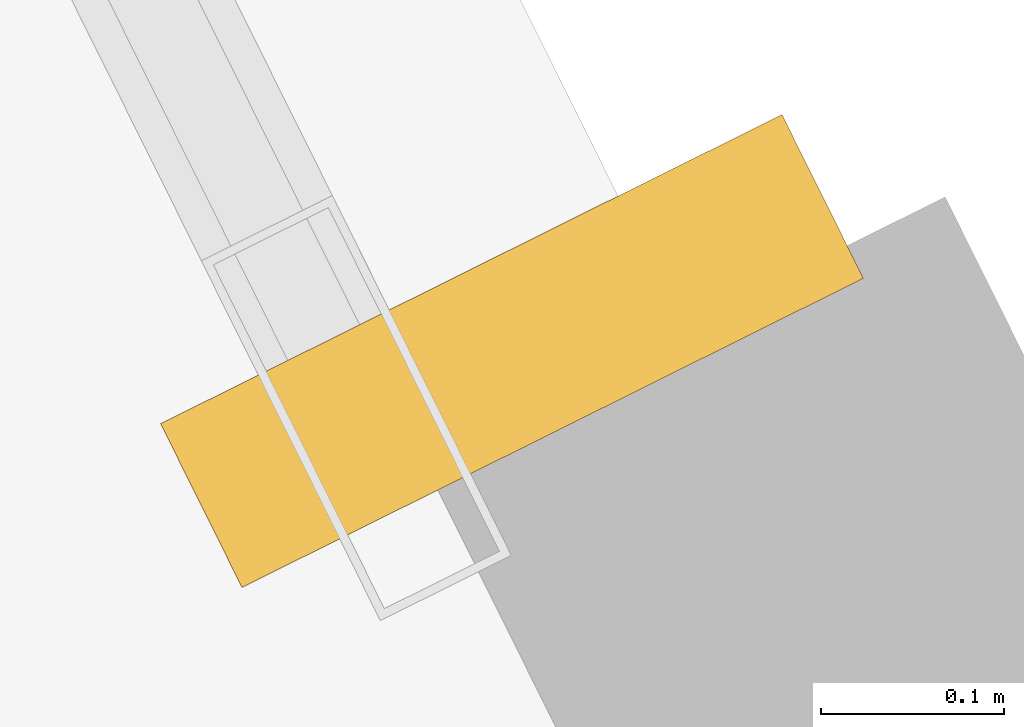
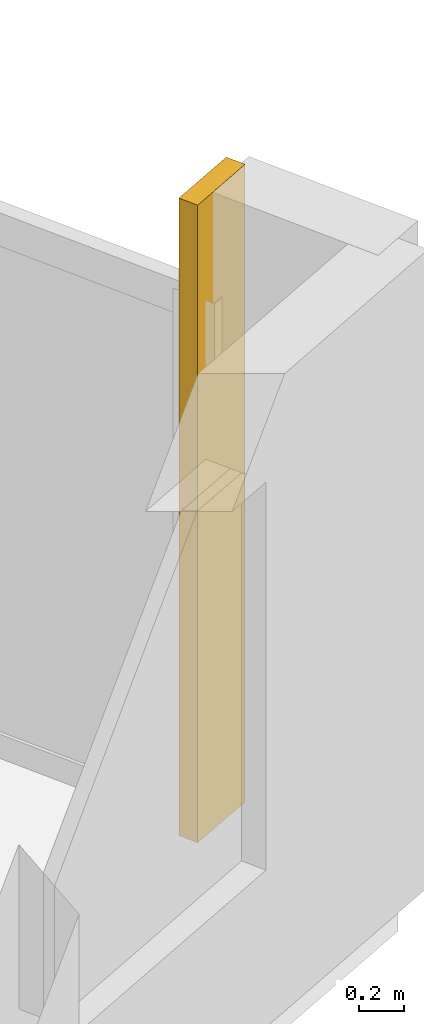
# One storey, part 35 of 35: 1 covering.
"""IFC4 building model written with IfcOpenShell, lengths in metres."""

import ifcopenshell
import ifcopenshell.guid

model = None  # the IFC model being written
_history = None  # IfcOwnerHistory: only IFC2X3 demands one
_inside = {}  # id of a spatial element -> (the spatial element, [elements in it])
_under = {}  # id of a project, library or spatial element -> (it, [spatial elements below it])
_declared = {}  # id of a project -> (the project, [libraries it declares])
_typed = {}  # id of a type object -> (the type object, [elements of that type])
_made_of = {}  # id of a material, layer set ... -> (it, [elements and type objects made of it])


def new_model(schema):
    """Start an empty IFC model of exactly this schema.

    Asked for "IFC4X3", IfcOpenShell would pick the latest addendum, in which some entities
    have other attributes; the version numbers below select the first issue.
    IFC2X3 requires an IfcOwnerHistory on every rooted entity: one is made here for all.
    """
    global model, _history
    if schema == "IFC4X3":
        model = ifcopenshell.file(schema_version=(4, 3, 0, 0))
    else:
        model = ifcopenshell.file(schema=schema)
    _inside.clear()
    _under.clear()
    _declared.clear()
    _typed.clear()
    _made_of.clear()
    _history = None
    if model.schema == "IFC2X3":
        org = make("IfcOrganization", Name="unknown")
        user = make(
            "IfcPersonAndOrganization",
            ThePerson=make("IfcPerson", FamilyName="unknown"),
            TheOrganization=org,
        )
        app = make(
            "IfcApplication",
            ApplicationDeveloper=org,
            Version="unknown",
            ApplicationFullName="unknown",
            ApplicationIdentifier="unknown",
        )
        _history = make(
            "IfcOwnerHistory",
            OwningUser=user,
            OwningApplication=app,
            ChangeAction="ADDED",
            CreationDate=0,
        )
    return model


def make(cls, **values):
    """One entity of the class cls with the attributes given. An attribute that is None is left unset."""
    return model.create_entity(
        cls, **{name: value for name, value in values.items() if value is not None}
    )


def rooted(cls, **values):
    """An entity with a GlobalId (a new one), such as an element, a storey or a relation."""
    return make(cls, GlobalId=ifcopenshell.guid.new(), OwnerHistory=_history, **values)


def si_unit(unit_type, name, prefix=None):
    """IfcSIUnit, for example si_unit("LENGTHUNIT", "METRE", prefix="MILLI")."""
    return make("IfcSIUnit", UnitType=unit_type, Prefix=prefix, Name=name)


def assignment(units):
    """IfcUnitAssignment: the units of a project."""
    return None if units is None else make("IfcUnitAssignment", Units=units)


def point(xyz):
    """IfcCartesianPoint."""
    return None if xyz is None else make("IfcCartesianPoint", Coordinates=xyz)


def direction(xyz):
    """IfcDirection."""
    return None if xyz is None else make("IfcDirection", DirectionRatios=xyz)


def frame(location, z_axis=None, x_axis=None):
    """IfcAxis2Placement3D, a coordinate frame: its origin and axes. An axis left out is left unset."""
    return make(
        "IfcAxis2Placement3D",
        Location=point(location),
        Axis=direction(z_axis),
        RefDirection=direction(x_axis),
    )


def frame_2d(location, x_axis=None):
    """IfcAxis2Placement2D, a coordinate frame in the plane: its origin and x axis."""
    return make(
        "IfcAxis2Placement2D", Location=point(location), RefDirection=direction(x_axis)
    )


def origin():
    """The frame at (0, 0, 0) with its axes left unset."""
    return frame((0.0, 0.0, 0.0))


def origin_2d():
    """The frame at (0, 0) in the plane with its x axis left unset."""
    return frame_2d((0.0, 0.0))


def place(relative_to, where):
    """IfcLocalPlacement: puts the frame where relative to a parent placement (None: the world)."""
    return make(
        "IfcLocalPlacement", PlacementRelTo=relative_to, RelativePlacement=where
    )


def context(
    kind, dimensions, precision=None, world=None, true_north=None, identifier=None
):
    """IfcGeometricRepresentationContext, for example the 3D "Model" context."""
    return make(
        "IfcGeometricRepresentationContext",
        ContextIdentifier=identifier,
        ContextType=kind,
        CoordinateSpaceDimension=dimensions,
        Precision=precision,
        WorldCoordinateSystem=world,
        TrueNorth=true_north,
    )


def subcontext(parent, identifier, kind, view, scale=None):
    """IfcGeometricRepresentationSubContext, for example "Body" below "Model"."""
    return make(
        "IfcGeometricRepresentationSubContext",
        ContextIdentifier=identifier,
        ContextType=kind,
        ParentContext=parent,
        TargetScale=scale,
        TargetView=view,
    )


def project(units=None, contexts=None):
    """IfcProject with its units and contexts."""
    return rooted(
        "IfcProject",
        Name="project",
        RepresentationContexts=contexts,
        UnitsInContext=assignment(units),
    )


def spatial(cls, under=None, at=None, **own):
    """A site, building, storey or space (cls), placed at a placement, below another one or the project."""
    s = rooted(cls, ObjectPlacement=at, **own)
    if under is not None:
        _under.setdefault(under.id(), (under, []))[1].append(s)
    return s


def profile(cls, at=None, kind="AREA", **sizes):
    """A parametric profile (cls). Its sizes go by their IFC names, for example OverallWidth=200.0."""
    return make(cls, ProfileType=kind, Position=at, **sizes)


def rectangle(**sizes):
    """IfcRectangleProfileDef."""
    return profile("IfcRectangleProfileDef", **sizes)


def extrude(swept, where, along, depth):
    """IfcExtrudedAreaSolid: the profile swept, set in the frame where, extruded along a direction by depth."""
    return make(
        "IfcExtrudedAreaSolid",
        SweptArea=swept,
        Position=where,
        ExtrudedDirection=direction(along),
        Depth=depth,
    )


def shape(context_of_items, identifier, shape_type, items):
    """IfcShapeRepresentation: the items that make up one representation, for example the "Body"."""
    return make(
        "IfcShapeRepresentation",
        ContextOfItems=context_of_items,
        RepresentationIdentifier=identifier,
        RepresentationType=shape_type,
        Items=items,
    )


def source(mapping_origin, context_of_items, identifier, shape_type, items):
    """IfcRepresentationMap: a shape defined once, which mapped items show again and again."""
    return make(
        "IfcRepresentationMap",
        MappingOrigin=mapping_origin,
        MappedRepresentation=shape(context_of_items, identifier, shape_type, items),
    )


def transform(
    local_origin,
    x_axis=None,
    y_axis=None,
    z_axis=None,
    scale=None,
    scale2=None,
    scale3=None,
    uniform=True,
):
    """IfcCartesianTransformationOperator3D, or its non-uniform kind. x_axis, y_axis, z_axis: its Axis1, 2, 3."""
    if uniform:
        return make(
            "IfcCartesianTransformationOperator3D",
            Axis1=direction(x_axis),
            Axis2=direction(y_axis),
            LocalOrigin=point(local_origin),
            Scale=scale,
            Axis3=direction(z_axis),
        )
    return make(
        "IfcCartesianTransformationOperator3DnonUniform",
        Axis1=direction(x_axis),
        Axis2=direction(y_axis),
        LocalOrigin=point(local_origin),
        Scale=scale,
        Axis3=direction(z_axis),
        Scale2=scale2,
        Scale3=scale3,
    )


def mapped(mapping_source, mapping_target):
    """IfcMappedItem: shows the shape of a source again, moved by a transform."""
    return make(
        "IfcMappedItem", MappingSource=mapping_source, MappingTarget=mapping_target
    )


def material(Name=None, Category=None):
    """IfcMaterial."""
    return make("IfcMaterial", Name=Name, Category=Category)


def layer(
    of_material, thickness, ventilated=None, Name=None, Category=None, Priority=None
):
    """IfcMaterialLayer: one layer of a wall or slab, of a material (None: an air gap)."""
    return make(
        "IfcMaterialLayer",
        Material=of_material,
        LayerThickness=thickness,
        IsVentilated=ventilated,
        Name=Name,
        Category=Category,
        Priority=Priority,
    )


def layer_set(layers, Name=None):
    """IfcMaterialLayerSet."""
    return make("IfcMaterialLayerSet", MaterialLayers=layers, LayerSetName=Name)


def made_of(thing, what):
    """Note that an element or type object is made of a material, layer set ...; save() writes the relation."""
    if what is not None:
        _made_of.setdefault(what.id(), (what, []))[1].append(thing)
    return thing


def type_object(cls, material=None, **own):
    """A type object (cls), such as IfcWallType, which elements share."""
    return made_of(rooted(cls, **own), material)


def element(
    cls,
    number,
    at=None,
    inside=None,
    cuts=None,
    type_object=None,
    material=None,
    context=None,
    identifier="Body",
    shape_type=None,
    held_by="IfcProductDefinitionShape",
    body=None,
    shapes=None,
    **own,
):
    """One element of the class cls, such as IfcWall. Its Tag is "e" and its number.

    at: its placement. inside: the storey or other place that contains it. cuts: it is an
    opening in that element (IfcRelVoidsElement). A single representation is given by context,
    identifier, shape_type and body (its items); several are given by shapes. held_by: the class
    of the entity that holds the representations. save() writes the other relations.
    """
    e = rooted(cls, Tag="e%d" % number, ObjectPlacement=at, **own)
    if body is not None:
        shapes = [shape(context, identifier, shape_type, body)]
    if shapes is not None:
        e.Representation = make(held_by, Representations=shapes)
    if inside is not None:
        _inside.setdefault(inside.id(), (inside, []))[1].append(e)
    if cuts is not None:
        rooted(
            "IfcRelVoidsElement", RelatingBuildingElement=cuts, RelatedOpeningElement=e
        )
    if type_object is not None:
        _typed.setdefault(type_object.id(), (type_object, []))[1].append(e)
    return made_of(e, material)


def aggregate(whole, parts):
    """IfcRelAggregates: a whole, such as a stair, and the parts it consists of."""
    return rooted("IfcRelAggregates", RelatingObject=whole, RelatedObjects=parts)


def save(model, path):
    """Write the relations noted so far, then the file.

    IfcRelAggregates (storeys below a building ...), IfcRelContainedInSpatialStructure (elements
    in a storey), IfcRelDefinesByType, IfcRelAssociatesMaterial and IfcRelDeclares: one each for
    every whole, place, type object, material and project.
    """
    for whole, parts in _under.values():
        aggregate(whole, parts)
    for where, things in _inside.values():
        rooted(
            "IfcRelContainedInSpatialStructure",
            RelatedElements=things,
            RelatingStructure=where,
        )
    for kind, things in _typed.values():
        rooted("IfcRelDefinesByType", RelatedObjects=things, RelatingType=kind)
    for what, things in _made_of.values():
        rooted("IfcRelAssociatesMaterial", RelatedObjects=things, RelatingMaterial=what)
    for by, libraries in _declared.values():
        rooted("IfcRelDeclares", RelatingContext=by, RelatedDefinitions=libraries)
    model.write(path)


model = new_model("IFC4")

# Units and contexts
model_context = context("Model", 3, precision=1e-05, world=origin(), true_north=direction((0.0, 1.0)))
body_context = subcontext(model_context, "Body", "Model", "MODEL_VIEW")
ifc_project = project(units=[si_unit("LENGTHUNIT", "METRE"), si_unit("AREAUNIT", "SQUARE_METRE"), si_unit("VOLUMEUNIT", "CUBIC_METRE"), si_unit("PLANEANGLEUNIT", "RADIAN"), si_unit("MASSUNIT", "GRAM", prefix="KILO")], contexts=[model_context])

# Site, building, storey
site_placement = place(None, origin())
site = spatial("IfcSite", under=ifc_project, at=site_placement, CompositionType="ELEMENT")
building_placement = place(site_placement, origin())
building = spatial("IfcBuilding", under=site, at=building_placement, Name="Haldenkirk Collegiate Tower", CompositionType="ELEMENT")
storey_placement = place(building_placement, frame((0.0, 0.0, 116.699951171875)))
storey = spatial("IfcBuildingStorey", under=building, at=storey_placement, Name="L28", CompositionType="ELEMENT", Elevation=116.699951171875)

# Covering
ifc_material = material(Name="Anodised architectural bronze aluminium", Category="aluminium")
ifc_layer = layer(ifc_material, 0.06005859375)
ifc_layer_set = layer_set([ifc_layer], Name="Anodised architectural bronze aluminium")
covering_type = type_object("IfcCoveringType", Name="COV-CLAD-BRONZE-60", PredefinedType="CLADDING", material=ifc_layer_set)
shared_shape = source(origin(), body_context, "Body", "SweptSolid", [
    extrude(rectangle(XDim=0.10009765625, YDim=0.3798828125, at=origin_2d()), origin(), (0.0, 0.0, 1.0), 3.449951171875),
])
covering_placement = place(storey_placement, frame((67.568359375, 20.154296875, 0.0), z_axis=(0.0, 0.0, 1.0), x_axis=(0.445416665749, -0.895323401835, 0.0)))
element("IfcCovering", 1, at=covering_placement, inside=storey, type_object=covering_type, Name="L28 recessed curtain-wall bronze jamb closure EJR", PredefinedType="CLADDING", context=body_context, shape_type="MappedRepresentation", body=[
    mapped(shared_shape, transform((0.0, 0.0, 0.0), x_axis=(1.0, 0.0, 0.0), y_axis=(0.0, 1.0, 0.0), z_axis=(0.0, 0.0, 1.0), scale=1.0)),
])

save(model, "model.ifc")
